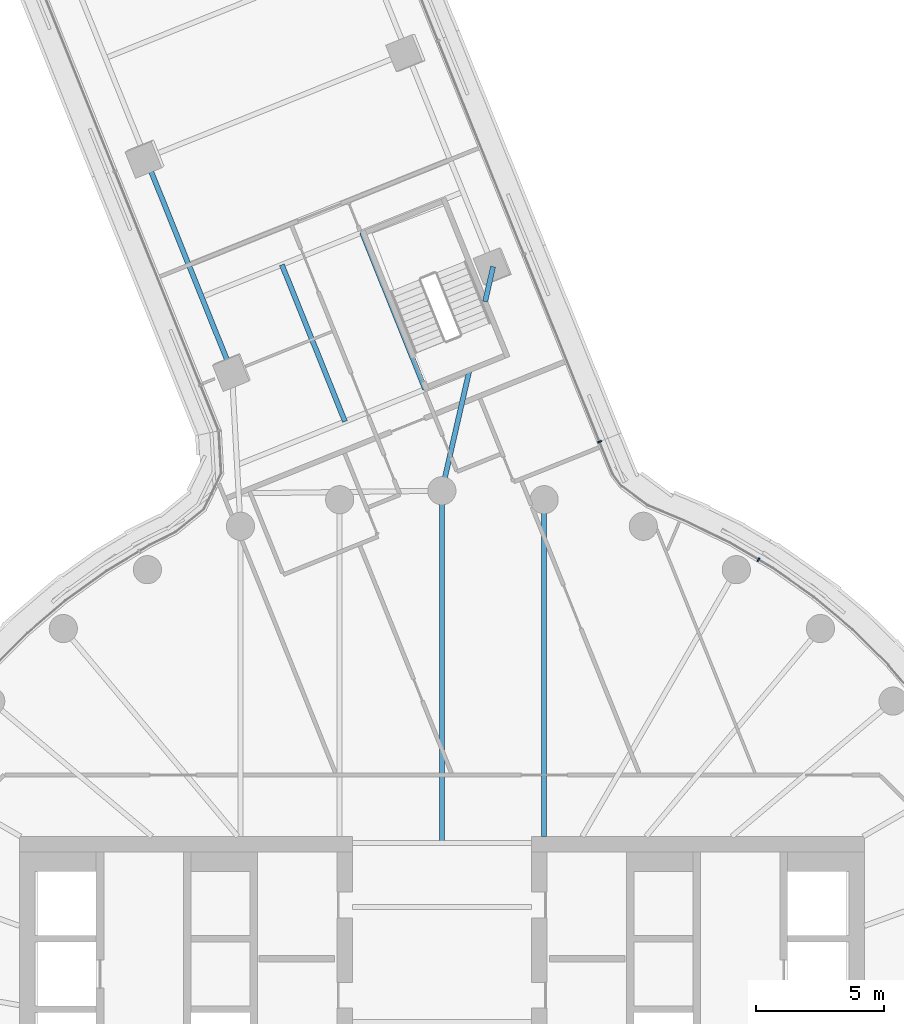
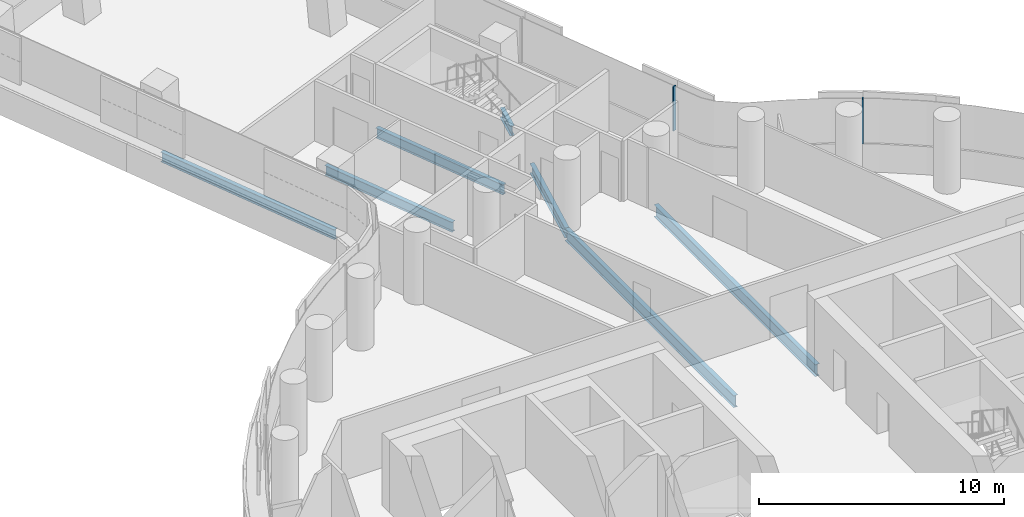
# One storey, part 14 of 32: 7 beams, 2 members, 2 elements without a shape of their own.
"""IFC4 building model written with IfcOpenShell, lengths in metres."""

from ifc_helpers import new_model, si_unit, direction, frame, origin, origin_2d, place, context, subcontext, project, spatial, rectangle, i_section, extrude, material, layer, layer_set, material_profile, profile_set, type_object, element, aggregate, save


model = new_model("IFC4")

# Units and contexts
model_context = context("Model", 3, precision=1e-05, world=origin(), true_north=direction((0.0, 1.0)))
body_context = subcontext(model_context, "Body", "Model", "MODEL_VIEW")
ifc_project = project(units=[si_unit("LENGTHUNIT", "METRE"), si_unit("AREAUNIT", "SQUARE_METRE"), si_unit("VOLUMEUNIT", "CUBIC_METRE"), si_unit("PLANEANGLEUNIT", "RADIAN"), si_unit("MASSUNIT", "GRAM", prefix="KILO")], contexts=[model_context])

# Site, building, storey
site_placement = place(None, origin())
site = spatial("IfcSite", under=ifc_project, at=site_placement, CompositionType="ELEMENT")
building_placement = place(site_placement, origin())
building = spatial("IfcBuilding", under=site, at=building_placement, Name="Tamarind Cross Interchange Tower", CompositionType="ELEMENT")
storey_placement = place(building_placement, frame((0.0, 0.0, 113.5)))
storey = spatial("IfcBuildingStorey", under=building, at=storey_placement, Name="L27", CompositionType="ELEMENT", Elevation=113.5)

# Beams
ifc_material_1 = material(Name="Steel Q355B", Category="steel")
ifc_material_profile_1 = material_profile(ifc_material_1, i_section(OverallWidth=0.198974609375, OverallDepth=0.49609375, WebThickness=0.009033203125, FlangeThickness=0.013916015625, FilletRadius=0.012939453125, at=origin_2d()), Name="HN 496x199x9x14")
ifc_profile_set_1 = profile_set([ifc_material_profile_1], Name="Steel Q355B")
beam_type_1 = type_object("IfcBeamType", Name="Composite beam HN 496x199x9x14 Q355B", PredefinedType="BEAM", material=ifc_profile_set_1)
beam_1_placement = place(storey_placement, frame((-11.565673828125, 35.991943359375, -0.387939453125), z_axis=(0.37364390845, -0.92757222343, 0.0), x_axis=(0.92757222343, 0.37364390845, 0.0)))
element("IfcBeam", 1, at=beam_1_placement, inside=storey, type_object=beam_type_1, Name="Beam N-edgeep3", PredefinedType="BEAM", context=body_context, shape_type="SweptSolid", body=[
    extrude(i_section(OverallWidth=0.198974609375, OverallDepth=0.49609375, WebThickness=0.009033203125, FlangeThickness=0.013916015625, FilletRadius=0.012939453125, at=origin_2d()), origin(), (0.0, 0.0, 1.0), 9.0),
])
beam_2_placement = place(storey_placement, frame((2.000244140625, 31.75390625, -0.387939453125), z_axis=(-0.222645042747, -0.974899576849, 0.0), x_axis=(0.974899576849, -0.222645042747, 0.0)))
element("IfcBeam", 2, at=beam_2_placement, inside=storey, type_object=beam_type_1, Name="Beam N-linkemt0", PredefinedType="BEAM", context=body_context, shape_type="SweptSolid", body=[
    extrude(i_section(OverallWidth=0.198974609375, OverallDepth=0.49609375, WebThickness=0.009033203125, FlangeThickness=0.013916015625, FilletRadius=0.012939453125, at=origin_2d()), origin(), (0.0, 0.0, 1.0), 1.4013671875),
])
beam_3_placement = place(storey_placement, frame((1.077880859375, 27.716796875, -0.387939453125), z_axis=(-0.222776847489, -0.974869466248, 0.0), x_axis=(0.974869466248, -0.222776847489, 0.0)))
element("IfcBeam", 3, at=beam_3_placement, inside=storey, type_object=beam_type_1, Name="Beam N-linkemt1", PredefinedType="BEAM", context=body_context, shape_type="SweptSolid", body=[
    extrude(i_section(OverallWidth=0.198974609375, OverallDepth=0.49609375, WebThickness=0.009033203125, FlangeThickness=0.013916015625, FilletRadius=0.012939453125, at=origin_2d()), origin(), (0.0, 0.0, 1.0), 4.83837890625),
])
for number, where, z_axis, x_axis, name in (
    (4, (-0.65283203125, 26.9658203125, -0.387939453125), (-0.373653722651, 0.927568270021, 0.0), (-0.927568270021, -0.373653722651, 0.0), "Beam N-tr1"),
    (5, (-3.783203125, 25.704833984375, -0.387939453125), (-0.373653722651, 0.927568270021, 0.0), (-0.927568270021, -0.373653722651, 0.0), "Beam N-stripp"),
):
    element("IfcBeam", number, at=place(storey_placement, frame(where, z_axis=z_axis, x_axis=x_axis)), inside=storey, type_object=beam_type_1, Name=name, PredefinedType="BEAM", context=body_context, shape_type="SweptSolid", body=[
        extrude(i_section(OverallWidth=0.198974609375, OverallDepth=0.49609375, WebThickness=0.009033203125, FlangeThickness=0.013916015625, FilletRadius=0.012939453125, at=origin_2d()), origin(), (0.0, 0.0, 1.0), 6.599853515625),
    ])
ifc_material_profile_2 = material_profile(ifc_material_1, i_section(OverallWidth=0.198974609375, OverallDepth=0.595947265625, WebThickness=0.010009765625, FlangeThickness=0.014892578125, FilletRadius=0.012939453125, at=origin_2d()), Name="HN 596x199x10x15")
ifc_profile_set_2 = profile_set([ifc_material_profile_2], Name="Steel Q355B")
beam_type_2 = type_object("IfcBeamType", Name="Composite beam HN 596x199x10x15 Q355B", PredefinedType="BEAM", material=ifc_profile_set_2)
beam_4_placement = place(storey_placement, frame((3.993896484375, 22.650634765625, -0.43798828125), z_axis=(0.0, -1.0, 0.0), x_axis=(1.0, 0.0, 0.0)))
element("IfcBeam", 6, at=beam_4_placement, inside=storey, type_object=beam_type_2, Name="Beam HH08", PredefinedType="BEAM", context=body_context, shape_type="SweptSolid", body=[
    extrude(i_section(OverallWidth=0.198974609375, OverallDepth=0.595947265625, WebThickness=0.010009765625, FlangeThickness=0.014892578125, FilletRadius=0.012939453125, at=origin_2d()), origin(), (0.0, 0.0, 1.0), 13.150634765625),
])
beam_5_placement = place(storey_placement, frame((0.0, 23.0, -0.43798828125), z_axis=(0.0, -1.0, 0.0), x_axis=(1.0, 0.0, 0.0)))
element("IfcBeam", 7, at=beam_5_placement, inside=storey, type_object=beam_type_2, Name="Beam HH09", PredefinedType="BEAM", context=body_context, shape_type="SweptSolid", body=[
    extrude(i_section(OverallWidth=0.198974609375, OverallDepth=0.595947265625, WebThickness=0.010009765625, FlangeThickness=0.014892578125, FilletRadius=0.012939453125, at=origin_2d()), origin(), (0.0, 0.0, 1.0), 13.75),
])

# Curtain wall, member
ifc_material_2 = material(Name="Aluminium 6063-T6", Category="aluminium")
ifc_layer = layer(ifc_material_2, 0.159912109375)
ifc_layer_set = layer_set([ifc_layer], Name="Aluminium 6063-T6")
curtain_wall_type = type_object("IfcCurtainWallType", Name="Office curtain wall, 9.0 m bays", PredefinedType="NOTDEFINED", material=ifc_layer_set)
curtain_wall_1_placement = place(storey_placement, origin())
curtain_wall_1 = element("IfcCurtainWall", 8, at=curtain_wall_1_placement, inside=storey, type_object=curtain_wall_type, Name="CWS-L27-10", PredefinedType="NOTDEFINED")
ifc_material_profile_3 = material_profile(ifc_material_2, rectangle(XDim=0.06005859375, YDim=0.159912109375, at=origin_2d()), Name="Mullion CW1")
ifc_profile_set_3 = profile_set([ifc_material_profile_3], Name="Aluminium 6063-T6")
member_type = type_object("IfcMemberType", Name="Mullion CW1", PredefinedType="MULLION", material=ifc_profile_set_3)
member_1_placement = place(storey_placement, frame((12.36572265625, 20.309326171875, 1.39990234375), z_axis=(0.0, 0.0, 1.0), x_axis=(-0.861248933065, 0.508183308752, 0.0)))
member_1 = element("IfcMember", 9, at=member_1_placement, type_object=member_type, Name="CWM-L27-10-02", PredefinedType="MULLION", context=body_context, shape_type="SweptSolid", body=[
    extrude(rectangle(XDim=0.06005859375, YDim=0.159912109375, at=origin_2d()), origin(), (0.0, 0.0, 1.0), 2.210205078125),
])
aggregate(curtain_wall_1, [member_1])

curtain_wall_2_placement = place(storey_placement, origin())
curtain_wall_2 = element("IfcCurtainWall", 10, at=curtain_wall_2_placement, inside=storey, type_object=curtain_wall_type, Name="CWS-L27-11", PredefinedType="NOTDEFINED")
member_2_placement = place(storey_placement, frame((6.15673828125, 24.9150390625, 1.39990234375), z_axis=(0.0, 0.0, 1.0), x_axis=(-0.375058663305, 0.927001078252, 0.0)))
member_2 = element("IfcMember", 11, at=member_2_placement, type_object=member_type, Name="CWM-L27-11-00", PredefinedType="MULLION", context=body_context, shape_type="SweptSolid", body=[
    extrude(rectangle(XDim=0.06005859375, YDim=0.159912109375, at=origin_2d()), origin(), (0.0, 0.0, 1.0), 2.210205078125),
])
aggregate(curtain_wall_2, [member_2])

save(model, "model.ifc")
